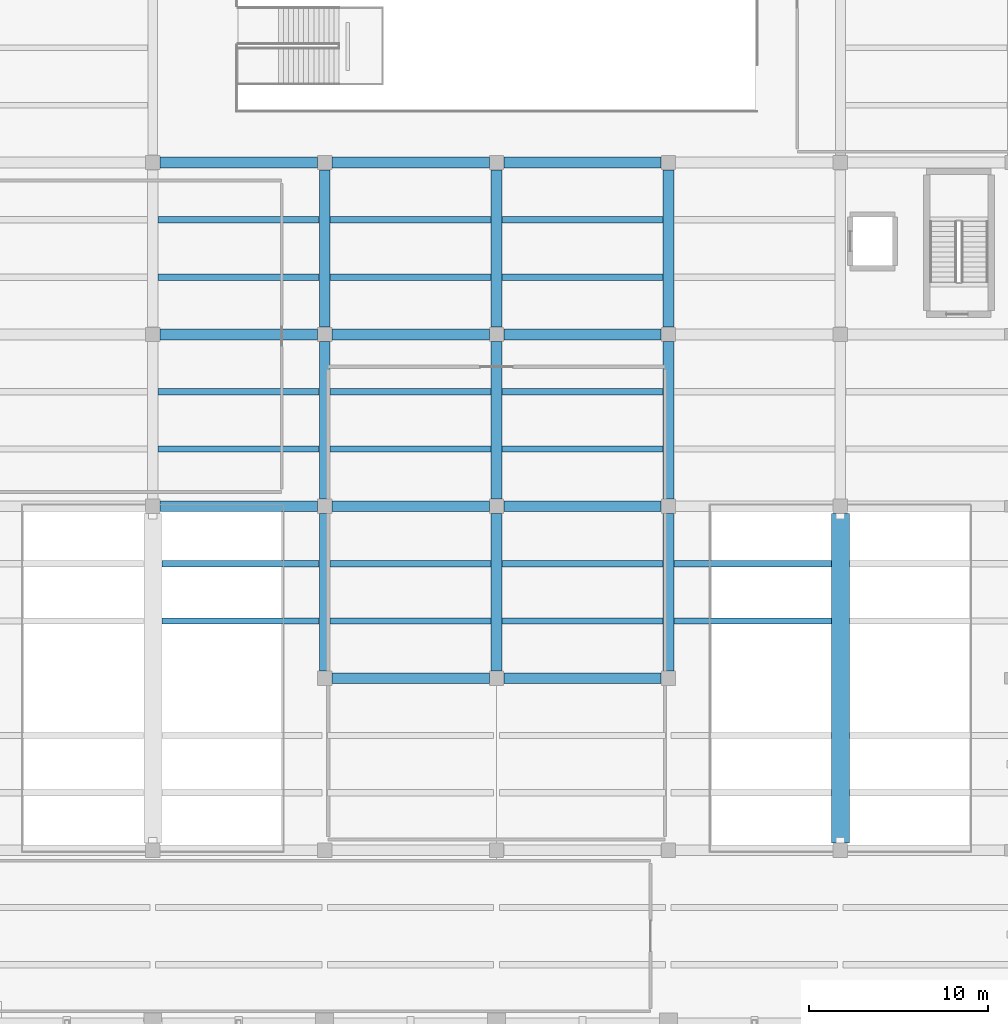
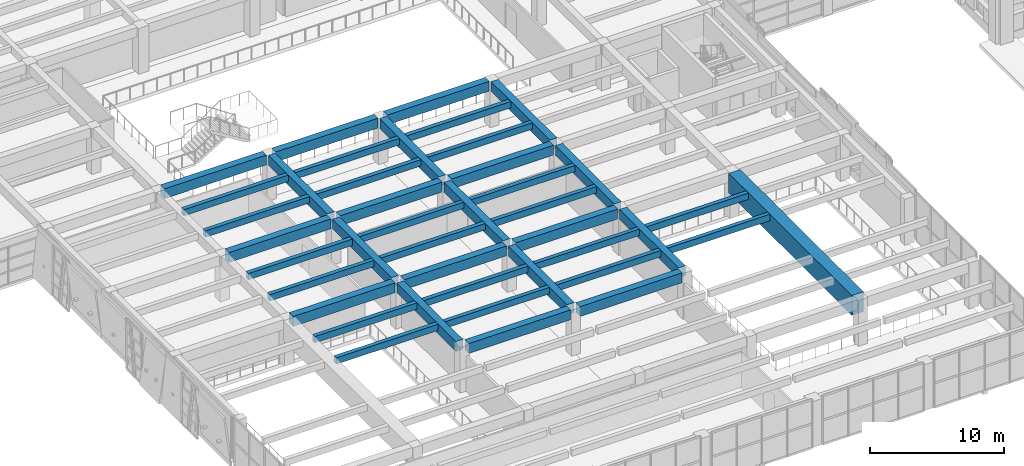
# One storey, part 12 of 49: 41 beams.
"""IFC4 building model written with IfcOpenShell, lengths in metres."""

import ifcopenshell
import ifcopenshell.guid

model = None  # the IFC model being written
_history = None  # IfcOwnerHistory: only IFC2X3 demands one
_inside = {}  # id of a spatial element -> (the spatial element, [elements in it])
_under = {}  # id of a project, library or spatial element -> (it, [spatial elements below it])
_declared = {}  # id of a project -> (the project, [libraries it declares])
_typed = {}  # id of a type object -> (the type object, [elements of that type])
_made_of = {}  # id of a material, layer set ... -> (it, [elements and type objects made of it])


def new_model(schema):
    """Start an empty IFC model of exactly this schema.

    Asked for "IFC4X3", IfcOpenShell would pick the latest addendum, in which some entities
    have other attributes; the version numbers below select the first issue.
    IFC2X3 requires an IfcOwnerHistory on every rooted entity: one is made here for all.
    """
    global model, _history
    if schema == "IFC4X3":
        model = ifcopenshell.file(schema_version=(4, 3, 0, 0))
    else:
        model = ifcopenshell.file(schema=schema)
    _inside.clear()
    _under.clear()
    _declared.clear()
    _typed.clear()
    _made_of.clear()
    _history = None
    if model.schema == "IFC2X3":
        org = make("IfcOrganization", Name="unknown")
        user = make(
            "IfcPersonAndOrganization",
            ThePerson=make("IfcPerson", FamilyName="unknown"),
            TheOrganization=org,
        )
        app = make(
            "IfcApplication",
            ApplicationDeveloper=org,
            Version="unknown",
            ApplicationFullName="unknown",
            ApplicationIdentifier="unknown",
        )
        _history = make(
            "IfcOwnerHistory",
            OwningUser=user,
            OwningApplication=app,
            ChangeAction="ADDED",
            CreationDate=0,
        )
    return model


def make(cls, **values):
    """One entity of the class cls with the attributes given. An attribute that is None is left unset."""
    return model.create_entity(
        cls, **{name: value for name, value in values.items() if value is not None}
    )


def rooted(cls, **values):
    """An entity with a GlobalId (a new one), such as an element, a storey or a relation."""
    return make(cls, GlobalId=ifcopenshell.guid.new(), OwnerHistory=_history, **values)


def si_unit(unit_type, name, prefix=None):
    """IfcSIUnit, for example si_unit("LENGTHUNIT", "METRE", prefix="MILLI")."""
    return make("IfcSIUnit", UnitType=unit_type, Prefix=prefix, Name=name)


def assignment(units):
    """IfcUnitAssignment: the units of a project."""
    return None if units is None else make("IfcUnitAssignment", Units=units)


def point(xyz):
    """IfcCartesianPoint."""
    return None if xyz is None else make("IfcCartesianPoint", Coordinates=xyz)


def direction(xyz):
    """IfcDirection."""
    return None if xyz is None else make("IfcDirection", DirectionRatios=xyz)


def frame(location, z_axis=None, x_axis=None):
    """IfcAxis2Placement3D, a coordinate frame: its origin and axes. An axis left out is left unset."""
    return make(
        "IfcAxis2Placement3D",
        Location=point(location),
        Axis=direction(z_axis),
        RefDirection=direction(x_axis),
    )


def frame_2d(location, x_axis=None):
    """IfcAxis2Placement2D, a coordinate frame in the plane: its origin and x axis."""
    return make(
        "IfcAxis2Placement2D", Location=point(location), RefDirection=direction(x_axis)
    )


def origin():
    """The frame at (0, 0, 0) with its axes left unset."""
    return frame((0.0, 0.0, 0.0))


def origin_2d():
    """The frame at (0, 0) in the plane with its x axis left unset."""
    return frame_2d((0.0, 0.0))


def place(relative_to, where):
    """IfcLocalPlacement: puts the frame where relative to a parent placement (None: the world)."""
    return make(
        "IfcLocalPlacement", PlacementRelTo=relative_to, RelativePlacement=where
    )


def context(
    kind, dimensions, precision=None, world=None, true_north=None, identifier=None
):
    """IfcGeometricRepresentationContext, for example the 3D "Model" context."""
    return make(
        "IfcGeometricRepresentationContext",
        ContextIdentifier=identifier,
        ContextType=kind,
        CoordinateSpaceDimension=dimensions,
        Precision=precision,
        WorldCoordinateSystem=world,
        TrueNorth=true_north,
    )


def subcontext(parent, identifier, kind, view, scale=None):
    """IfcGeometricRepresentationSubContext, for example "Body" below "Model"."""
    return make(
        "IfcGeometricRepresentationSubContext",
        ContextIdentifier=identifier,
        ContextType=kind,
        ParentContext=parent,
        TargetScale=scale,
        TargetView=view,
    )


def project(units=None, contexts=None):
    """IfcProject with its units and contexts."""
    return rooted(
        "IfcProject",
        Name="project",
        RepresentationContexts=contexts,
        UnitsInContext=assignment(units),
    )


def spatial(cls, under=None, at=None, **own):
    """A site, building, storey or space (cls), placed at a placement, below another one or the project."""
    s = rooted(cls, ObjectPlacement=at, **own)
    if under is not None:
        _under.setdefault(under.id(), (under, []))[1].append(s)
    return s


def profile(cls, at=None, kind="AREA", **sizes):
    """A parametric profile (cls). Its sizes go by their IFC names, for example OverallWidth=200.0."""
    return make(cls, ProfileType=kind, Position=at, **sizes)


def rectangle(**sizes):
    """IfcRectangleProfileDef."""
    return profile("IfcRectangleProfileDef", **sizes)


def extrude(swept, where, along, depth):
    """IfcExtrudedAreaSolid: the profile swept, set in the frame where, extruded along a direction by depth."""
    return make(
        "IfcExtrudedAreaSolid",
        SweptArea=swept,
        Position=where,
        ExtrudedDirection=direction(along),
        Depth=depth,
    )


def shape(context_of_items, identifier, shape_type, items):
    """IfcShapeRepresentation: the items that make up one representation, for example the "Body"."""
    return make(
        "IfcShapeRepresentation",
        ContextOfItems=context_of_items,
        RepresentationIdentifier=identifier,
        RepresentationType=shape_type,
        Items=items,
    )


def material(Name=None, Category=None):
    """IfcMaterial."""
    return make("IfcMaterial", Name=Name, Category=Category)


def material_profile(
    of_material, cross_section, Name=None, Category=None, Priority=None
):
    """IfcMaterialProfile: a cross section and its material."""
    return make(
        "IfcMaterialProfile",
        Name=Name,
        Material=of_material,
        Profile=cross_section,
        Priority=Priority,
        Category=Category,
    )


def profile_set(profiles, Name=None, composite=None):
    """IfcMaterialProfileSet."""
    return make(
        "IfcMaterialProfileSet",
        Name=Name,
        MaterialProfiles=profiles,
        CompositeProfile=composite,
    )


def made_of(thing, what):
    """Note that an element or type object is made of a material, layer set ...; save() writes the relation."""
    if what is not None:
        _made_of.setdefault(what.id(), (what, []))[1].append(thing)
    return thing


def type_object(cls, material=None, **own):
    """A type object (cls), such as IfcWallType, which elements share."""
    return made_of(rooted(cls, **own), material)


def element(
    cls,
    number,
    at=None,
    inside=None,
    cuts=None,
    type_object=None,
    material=None,
    context=None,
    identifier="Body",
    shape_type=None,
    held_by="IfcProductDefinitionShape",
    body=None,
    shapes=None,
    **own,
):
    """One element of the class cls, such as IfcWall. Its Tag is "e" and its number.

    at: its placement. inside: the storey or other place that contains it. cuts: it is an
    opening in that element (IfcRelVoidsElement). A single representation is given by context,
    identifier, shape_type and body (its items); several are given by shapes. held_by: the class
    of the entity that holds the representations. save() writes the other relations.
    """
    e = rooted(cls, Tag="e%d" % number, ObjectPlacement=at, **own)
    if body is not None:
        shapes = [shape(context, identifier, shape_type, body)]
    if shapes is not None:
        e.Representation = make(held_by, Representations=shapes)
    if inside is not None:
        _inside.setdefault(inside.id(), (inside, []))[1].append(e)
    if cuts is not None:
        rooted(
            "IfcRelVoidsElement", RelatingBuildingElement=cuts, RelatedOpeningElement=e
        )
    if type_object is not None:
        _typed.setdefault(type_object.id(), (type_object, []))[1].append(e)
    return made_of(e, material)


def aggregate(whole, parts):
    """IfcRelAggregates: a whole, such as a stair, and the parts it consists of."""
    return rooted("IfcRelAggregates", RelatingObject=whole, RelatedObjects=parts)


def save(model, path):
    """Write the relations noted so far, then the file.

    IfcRelAggregates (storeys below a building ...), IfcRelContainedInSpatialStructure (elements
    in a storey), IfcRelDefinesByType, IfcRelAssociatesMaterial and IfcRelDeclares: one each for
    every whole, place, type object, material and project.
    """
    for whole, parts in _under.values():
        aggregate(whole, parts)
    for where, things in _inside.values():
        rooted(
            "IfcRelContainedInSpatialStructure",
            RelatedElements=things,
            RelatingStructure=where,
        )
    for kind, things in _typed.values():
        rooted("IfcRelDefinesByType", RelatedObjects=things, RelatingType=kind)
    for what, things in _made_of.values():
        rooted("IfcRelAssociatesMaterial", RelatedObjects=things, RelatingMaterial=what)
    for by, libraries in _declared.values():
        rooted("IfcRelDeclares", RelatingContext=by, RelatedDefinitions=libraries)
    model.write(path)


model = new_model("IFC4")

# Units and contexts
model_context = context("Model", 3, precision=1e-05, world=origin(), true_north=direction((0.0, 1.0)))
body_context = subcontext(model_context, "Body", "Model", "MODEL_VIEW")
ifc_project = project(units=[si_unit("LENGTHUNIT", "METRE"), si_unit("AREAUNIT", "SQUARE_METRE"), si_unit("VOLUMEUNIT", "CUBIC_METRE"), si_unit("PLANEANGLEUNIT", "RADIAN"), si_unit("MASSUNIT", "GRAM", prefix="KILO")], contexts=[model_context])

# Site, building, storey
site_placement = place(None, origin())
site = spatial("IfcSite", under=ifc_project, at=site_placement, CompositionType="ELEMENT")
building_placement = place(site_placement, origin())
building = spatial("IfcBuilding", under=site, at=building_placement, Name="Bempovik Park Faculty of Sciences", CompositionType="ELEMENT")
storey_placement = place(building_placement, frame((0.0, 0.0, 5.39990234375)))
storey = spatial("IfcBuildingStorey", under=building, at=storey_placement, Name="L01", CompositionType="ELEMENT", Elevation=5.39990234375)

# Beams
ifc_material_1 = material(Name="Concrete C40/50", Category="concrete")
ifc_material_profile_1 = material_profile(ifc_material_1, rectangle(XDim=1.0, YDim=1.800048828125, at=origin_2d()), Name="RC 1000x1800")
ifc_profile_set_1 = profile_set([ifc_material_profile_1], Name="Concrete C40/50")
beam_type_1 = type_object("IfcBeamType", Name="B-033 RC 1000x1800", PredefinedType="USERDEFINED", material=ifc_profile_set_1)
beam_1_placement = place(storey_placement, frame((108.0, 29.805908203125, 3.280029296875), z_axis=(0.0, 1.0, 0.0), x_axis=(-1.0, 0.0, 0.0)))
element("IfcBeam", 1, at=beam_1_placement, inside=storey, type_object=beam_type_1, Name="Lecture Hall Clear-Span Transfer Girder TG-L02-E", ObjectType="TRANSFER GIRDER", PredefinedType="USERDEFINED", context=body_context, shape_type="SweptSolid", body=[
    extrude(rectangle(XDim=1.0, YDim=1.800048828125, at=origin_2d()), origin(), (0.0, 0.0, 1.0), 18.38818359375),
])
ifc_material_2 = material(Name="Concrete C35/45", Category="concrete")
ifc_material_profile_2 = material_profile(ifc_material_2, rectangle(XDim=0.35009765625, YDim=0.580078125, at=origin_2d()), Name="RC 350x580")
ifc_profile_set_2 = profile_set([ifc_material_profile_2], Name="Concrete C35/45")
beam_type_2 = type_object("IfcBeamType", Name="B-107 RC 350x580", PredefinedType="JOIST", material=ifc_profile_set_2)
for number, where, z_axis, x_axis, name in (
    (2, (70.10595703125, 42.199951171875, 3.89013671875), (1.0, 0.0, 0.0), (0.0, 1.0, 0.0), "L01 Secondary Joist (69.6-79.2, y=42.20)"),
    (3, (70.10595703125, 45.39990234375, 3.89013671875), (1.0, 0.0, 0.0), (0.0, 1.0, 0.0), "L01 Secondary Joist (69.6-79.2, y=45.40)"),
):
    element("IfcBeam", number, at=place(storey_placement, frame(where, z_axis=z_axis, x_axis=x_axis)), inside=storey, type_object=beam_type_2, Name=name, PredefinedType="JOIST", context=body_context, shape_type="SweptSolid", body=[
        extrude(rectangle(XDim=0.35009765625, YDim=0.580078125, at=origin_2d()), origin(), (0.0, 0.0, 1.0), 8.7880859375),
    ])
for number, where, z_axis, x_axis, name in (
    (4, (69.906005859375, 51.800048828125, 3.89013671875), (1.0, 0.0, 0.0), (0.0, 1.0, 0.0), "L01 Secondary Joist (69.6-79.2, y=51.80)"),
    (5, (69.906005859375, 55.0, 3.89013671875), (1.0, 0.0, 0.0), (0.0, 1.0, 0.0), "L01 Secondary Joist (69.6-79.2, y=55.00)"),
    (6, (69.906005859375, 61.39990234375, 3.89013671875), (1.0, 0.0, 0.0), (0.0, 1.0, 0.0), "L01 Secondary Joist (69.6-79.2, y=61.40)"),
    (7, (69.906005859375, 64.60009765625, 3.89013671875), (1.0, 0.0, 0.0), (0.0, 1.0, 0.0), "L01 Secondary Joist (69.6-79.2, y=64.60)"),
):
    element("IfcBeam", number, at=place(storey_placement, frame(where, z_axis=z_axis, x_axis=x_axis)), inside=storey, type_object=beam_type_2, Name=name, PredefinedType="JOIST", context=body_context, shape_type="SweptSolid", body=[
        extrude(rectangle(XDim=0.35009765625, YDim=0.580078125, at=origin_2d()), origin(), (0.0, 0.0, 1.0), 8.988037109375),
    ])
for number, where, z_axis, x_axis, name in (
    (8, (79.506103515625, 42.199951171875, 3.89013671875), (1.0, 0.0, 0.0), (0.0, 1.0, 0.0), "L01 Secondary Joist (79.2-88.8, y=42.20)"),
    (9, (79.506103515625, 45.39990234375, 3.89013671875), (1.0, 0.0, 0.0), (0.0, 1.0, 0.0), "L01 Secondary Joist (79.2-88.8, y=45.40)"),
    (10, (79.506103515625, 51.800048828125, 3.89013671875), (1.0, 0.0, 0.0), (0.0, 1.0, 0.0), "L01 Secondary Joist (79.2-88.8, y=51.80)"),
    (11, (79.506103515625, 55.0, 3.89013671875), (1.0, 0.0, 0.0), (0.0, 1.0, 0.0), "L01 Secondary Joist (79.2-88.8, y=55.00)"),
    (12, (79.506103515625, 61.39990234375, 3.89013671875), (1.0, 0.0, 0.0), (0.0, 1.0, 0.0), "L01 Secondary Joist (79.2-88.8, y=61.40)"),
    (13, (79.506103515625, 64.60009765625, 3.89013671875), (1.0, 0.0, 0.0), (0.0, 1.0, 0.0), "L01 Secondary Joist (79.2-88.8, y=64.60)"),
):
    element("IfcBeam", number, at=place(storey_placement, frame(where, z_axis=z_axis, x_axis=x_axis)), inside=storey, type_object=beam_type_2, Name=name, PredefinedType="JOIST", context=body_context, shape_type="SweptSolid", body=[
        extrude(rectangle(XDim=0.35009765625, YDim=0.580078125, at=origin_2d()), origin(), (0.0, 0.0, 1.0), 8.98779296875),
    ])
for number, where, z_axis, x_axis, name in (
    (14, (89.10595703125, 42.199951171875, 3.89013671875), (1.0, 0.0, 0.0), (0.0, 1.0, 0.0), "L01 Secondary Joist (88.8-98.4, y=42.20)"),
    (15, (89.10595703125, 45.39990234375, 3.89013671875), (1.0, 0.0, 0.0), (0.0, 1.0, 0.0), "L01 Secondary Joist (88.8-98.4, y=45.40)"),
    (16, (89.10595703125, 51.800048828125, 3.89013671875), (1.0, 0.0, 0.0), (0.0, 1.0, 0.0), "L01 Secondary Joist (88.8-98.4, y=51.80)"),
    (17, (89.10595703125, 55.0, 3.89013671875), (1.0, 0.0, 0.0), (0.0, 1.0, 0.0), "L01 Secondary Joist (88.8-98.4, y=55.00)"),
    (18, (89.10595703125, 61.39990234375, 3.89013671875), (1.0, 0.0, 0.0), (0.0, 1.0, 0.0), "L01 Secondary Joist (88.8-98.4, y=61.40)"),
    (19, (89.10595703125, 64.60009765625, 3.89013671875), (1.0, 0.0, 0.0), (0.0, 1.0, 0.0), "L01 Secondary Joist (88.8-98.4, y=64.60)"),
):
    element("IfcBeam", number, at=place(storey_placement, frame(where, z_axis=z_axis, x_axis=x_axis)), inside=storey, type_object=beam_type_2, Name=name, PredefinedType="JOIST", context=body_context, shape_type="SweptSolid", body=[
        extrude(rectangle(XDim=0.35009765625, YDim=0.580078125, at=origin_2d()), origin(), (0.0, 0.0, 1.0), 8.988037109375),
    ])
for number, where, z_axis, x_axis, name in (
    (20, (98.7060546875, 42.199951171875, 3.89013671875), (1.0, 0.0, 0.0), (0.0, 1.0, 0.0), "L01 Secondary Joist (98.4-108.0, y=42.20)"),
    (21, (98.7060546875, 45.39990234375, 3.89013671875), (1.0, 0.0, 0.0), (0.0, 1.0, 0.0), "L01 Secondary Joist (98.4-108.0, y=45.40)"),
):
    element("IfcBeam", number, at=place(storey_placement, frame(where, z_axis=z_axis, x_axis=x_axis)), inside=storey, type_object=beam_type_2, Name=name, PredefinedType="JOIST", context=body_context, shape_type="SweptSolid", body=[
        extrude(rectangle(XDim=0.35009765625, YDim=0.580078125, at=origin_2d()), origin(), (0.0, 0.0, 1.0), 8.787841796875),
    ])
ifc_material_profile_3 = material_profile(ifc_material_1, rectangle(XDim=0.60009765625, YDim=0.89990234375, at=origin_2d()), Name="RC 600x900")
ifc_profile_set_3 = profile_set([ifc_material_profile_3], Name="Concrete C40/50")
beam_type_3 = type_object("IfcBeamType", Name="B-115 RC 600x900", PredefinedType="BEAM", material=ifc_profile_set_3)
beam_2_placement = place(storey_placement, frame((79.60595703125, 39.0, 3.72998046875), z_axis=(1.0, 0.0, 0.0), x_axis=(0.0, 1.0, 0.0)))
element("IfcBeam", 22, at=beam_2_placement, inside=storey, type_object=beam_type_3, Name="L01 Beam X (79.2-88.8, y=39.0)", PredefinedType="BEAM", context=body_context, shape_type="SweptSolid", body=[
    extrude(rectangle(XDim=0.60009765625, YDim=0.89990234375, at=origin_2d()), origin(), (0.0, 0.0, 1.0), 8.7880859375),
])
for number, where, z_axis, x_axis, name in (
    (23, (89.2060546875, 39.0, 3.72998046875), (1.0, 0.0, 0.0), (0.0, 1.0, 0.0), "L01 Beam X (88.8-98.4, y=39.0)"),
    (24, (70.006103515625, 48.60009765625, 3.72998046875), (1.0, 0.0, 0.0), (0.0, 1.0, 0.0), "L01 Beam X (69.6-79.2, y=48.6)"),
):
    element("IfcBeam", number, at=place(storey_placement, frame(where, z_axis=z_axis, x_axis=x_axis)), inside=storey, type_object=beam_type_3, Name=name, PredefinedType="BEAM", context=body_context, shape_type="SweptSolid", body=[
        extrude(rectangle(XDim=0.60009765625, YDim=0.89990234375, at=origin_2d()), origin(), (0.0, 0.0, 1.0), 8.787841796875),
    ])
beam_3_placement = place(storey_placement, frame((79.60595703125, 48.60009765625, 3.72998046875), z_axis=(1.0, 0.0, 0.0), x_axis=(0.0, 1.0, 0.0)))
element("IfcBeam", 25, at=beam_3_placement, inside=storey, type_object=beam_type_3, Name="L01 Beam X (79.2-88.8, y=48.6)", PredefinedType="BEAM", context=body_context, shape_type="SweptSolid", body=[
    extrude(rectangle(XDim=0.60009765625, YDim=0.89990234375, at=origin_2d()), origin(), (0.0, 0.0, 1.0), 8.7880859375),
])
for number, where, z_axis, x_axis, name in (
    (26, (89.2060546875, 48.60009765625, 3.72998046875), (1.0, 0.0, 0.0), (0.0, 1.0, 0.0), "L01 Beam X (88.8-98.4, y=48.6)"),
    (27, (70.006103515625, 58.199951171875, 3.72998046875), (1.0, 0.0, 0.0), (0.0, 1.0, 0.0), "L01 Beam X (69.6-79.2, y=58.2)"),
):
    element("IfcBeam", number, at=place(storey_placement, frame(where, z_axis=z_axis, x_axis=x_axis)), inside=storey, type_object=beam_type_3, Name=name, PredefinedType="BEAM", context=body_context, shape_type="SweptSolid", body=[
        extrude(rectangle(XDim=0.60009765625, YDim=0.89990234375, at=origin_2d()), origin(), (0.0, 0.0, 1.0), 8.787841796875),
    ])
beam_4_placement = place(storey_placement, frame((79.60595703125, 58.199951171875, 3.72998046875), z_axis=(1.0, 0.0, 0.0), x_axis=(0.0, 1.0, 0.0)))
element("IfcBeam", 28, at=beam_4_placement, inside=storey, type_object=beam_type_3, Name="L01 Beam X (79.2-88.8, y=58.2)", PredefinedType="BEAM", context=body_context, shape_type="SweptSolid", body=[
    extrude(rectangle(XDim=0.60009765625, YDim=0.89990234375, at=origin_2d()), origin(), (0.0, 0.0, 1.0), 8.7880859375),
])
for number, where, z_axis, x_axis, name in (
    (29, (89.2060546875, 58.199951171875, 3.72998046875), (1.0, 0.0, 0.0), (0.0, 1.0, 0.0), "L01 Beam X (88.8-98.4, y=58.2)"),
    (30, (70.006103515625, 67.800048828125, 3.72998046875), (1.0, 0.0, 0.0), (0.0, 1.0, 0.0), "L01 Beam X (69.6-79.2, y=67.8)"),
):
    element("IfcBeam", number, at=place(storey_placement, frame(where, z_axis=z_axis, x_axis=x_axis)), inside=storey, type_object=beam_type_3, Name=name, PredefinedType="BEAM", context=body_context, shape_type="SweptSolid", body=[
        extrude(rectangle(XDim=0.60009765625, YDim=0.89990234375, at=origin_2d()), origin(), (0.0, 0.0, 1.0), 8.787841796875),
    ])
beam_5_placement = place(storey_placement, frame((79.60595703125, 67.800048828125, 3.72998046875), z_axis=(1.0, 0.0, 0.0), x_axis=(0.0, 1.0, 0.0)))
element("IfcBeam", 31, at=beam_5_placement, inside=storey, type_object=beam_type_3, Name="L01 Beam X (79.2-88.8, y=67.8)", PredefinedType="BEAM", context=body_context, shape_type="SweptSolid", body=[
    extrude(rectangle(XDim=0.60009765625, YDim=0.89990234375, at=origin_2d()), origin(), (0.0, 0.0, 1.0), 8.7880859375),
])
beam_6_placement = place(storey_placement, frame((89.2060546875, 67.800048828125, 3.72998046875), z_axis=(1.0, 0.0, 0.0), x_axis=(0.0, 1.0, 0.0)))
element("IfcBeam", 32, at=beam_6_placement, inside=storey, type_object=beam_type_3, Name="L01 Beam X (88.8-98.4, y=67.8)", PredefinedType="BEAM", context=body_context, shape_type="SweptSolid", body=[
    extrude(rectangle(XDim=0.60009765625, YDim=0.89990234375, at=origin_2d()), origin(), (0.0, 0.0, 1.0), 8.787841796875),
])
beam_7_placement = place(storey_placement, frame((79.199951171875, 39.406005859375, 3.72998046875), z_axis=(0.0, 1.0, 0.0), x_axis=(-1.0, 0.0, 0.0)))
element("IfcBeam", 33, at=beam_7_placement, inside=storey, type_object=beam_type_3, Name="L01 Beam Y (x=79.2, 39.0-48.6)", PredefinedType="BEAM", context=body_context, shape_type="SweptSolid", body=[
    extrude(rectangle(XDim=0.60009765625, YDim=0.89990234375, at=origin_2d()), origin(), (0.0, 0.0, 1.0), 8.7880859375),
])
beam_8_placement = place(storey_placement, frame((79.199951171875, 49.006103515625, 3.72998046875), z_axis=(0.0, 1.0, 0.0), x_axis=(-1.0, 0.0, 0.0)))
element("IfcBeam", 34, at=beam_8_placement, inside=storey, type_object=beam_type_3, Name="L01 Beam Y (x=79.2, 48.6-58.2)", PredefinedType="BEAM", context=body_context, shape_type="SweptSolid", body=[
    extrude(rectangle(XDim=0.60009765625, YDim=0.89990234375, at=origin_2d()), origin(), (0.0, 0.0, 1.0), 8.787841796875),
])
for number, where, z_axis, x_axis, name in (
    (35, (79.199951171875, 58.60595703125, 3.72998046875), (0.0, 1.0, 0.0), (-1.0, 0.0, 0.0), "L01 Beam Y (x=79.2, 58.2-67.8)"),
    (36, (88.800048828125, 39.406005859375, 3.72998046875), (0.0, 1.0, 0.0), (-1.0, 0.0, 0.0), "L01 Beam Y (x=88.8, 39.0-48.6)"),
):
    element("IfcBeam", number, at=place(storey_placement, frame(where, z_axis=z_axis, x_axis=x_axis)), inside=storey, type_object=beam_type_3, Name=name, PredefinedType="BEAM", context=body_context, shape_type="SweptSolid", body=[
        extrude(rectangle(XDim=0.60009765625, YDim=0.89990234375, at=origin_2d()), origin(), (0.0, 0.0, 1.0), 8.7880859375),
    ])
beam_9_placement = place(storey_placement, frame((88.800048828125, 49.006103515625, 3.72998046875), z_axis=(0.0, 1.0, 0.0), x_axis=(-1.0, 0.0, 0.0)))
element("IfcBeam", 37, at=beam_9_placement, inside=storey, type_object=beam_type_3, Name="L01 Beam Y (x=88.8, 48.6-58.2)", PredefinedType="BEAM", context=body_context, shape_type="SweptSolid", body=[
    extrude(rectangle(XDim=0.60009765625, YDim=0.89990234375, at=origin_2d()), origin(), (0.0, 0.0, 1.0), 8.787841796875),
])
for number, where, z_axis, x_axis, name in (
    (38, (88.800048828125, 58.60595703125, 3.72998046875), (0.0, 1.0, 0.0), (-1.0, 0.0, 0.0), "L01 Beam Y (x=88.8, 58.2-67.8)"),
    (39, (98.39990234375, 39.406005859375, 3.72998046875), (0.0, 1.0, 0.0), (-1.0, 0.0, 0.0), "L01 Beam Y (x=98.4, 39.0-48.6)"),
):
    element("IfcBeam", number, at=place(storey_placement, frame(where, z_axis=z_axis, x_axis=x_axis)), inside=storey, type_object=beam_type_3, Name=name, PredefinedType="BEAM", context=body_context, shape_type="SweptSolid", body=[
        extrude(rectangle(XDim=0.60009765625, YDim=0.89990234375, at=origin_2d()), origin(), (0.0, 0.0, 1.0), 8.7880859375),
    ])
beam_10_placement = place(storey_placement, frame((98.39990234375, 49.006103515625, 3.72998046875), z_axis=(0.0, 1.0, 0.0), x_axis=(-1.0, 0.0, 0.0)))
element("IfcBeam", 40, at=beam_10_placement, inside=storey, type_object=beam_type_3, Name="L01 Beam Y (x=98.4, 48.6-58.2)", PredefinedType="BEAM", context=body_context, shape_type="SweptSolid", body=[
    extrude(rectangle(XDim=0.60009765625, YDim=0.89990234375, at=origin_2d()), origin(), (0.0, 0.0, 1.0), 8.787841796875),
])
beam_11_placement = place(storey_placement, frame((98.39990234375, 58.60595703125, 3.72998046875), z_axis=(0.0, 1.0, 0.0), x_axis=(-1.0, 0.0, 0.0)))
element("IfcBeam", 41, at=beam_11_placement, inside=storey, type_object=beam_type_3, Name="L01 Beam Y (x=98.4, 58.2-67.8)", PredefinedType="BEAM", context=body_context, shape_type="SweptSolid", body=[
    extrude(rectangle(XDim=0.60009765625, YDim=0.89990234375, at=origin_2d()), origin(), (0.0, 0.0, 1.0), 8.7880859375),
])

save(model, "model.ifc")
